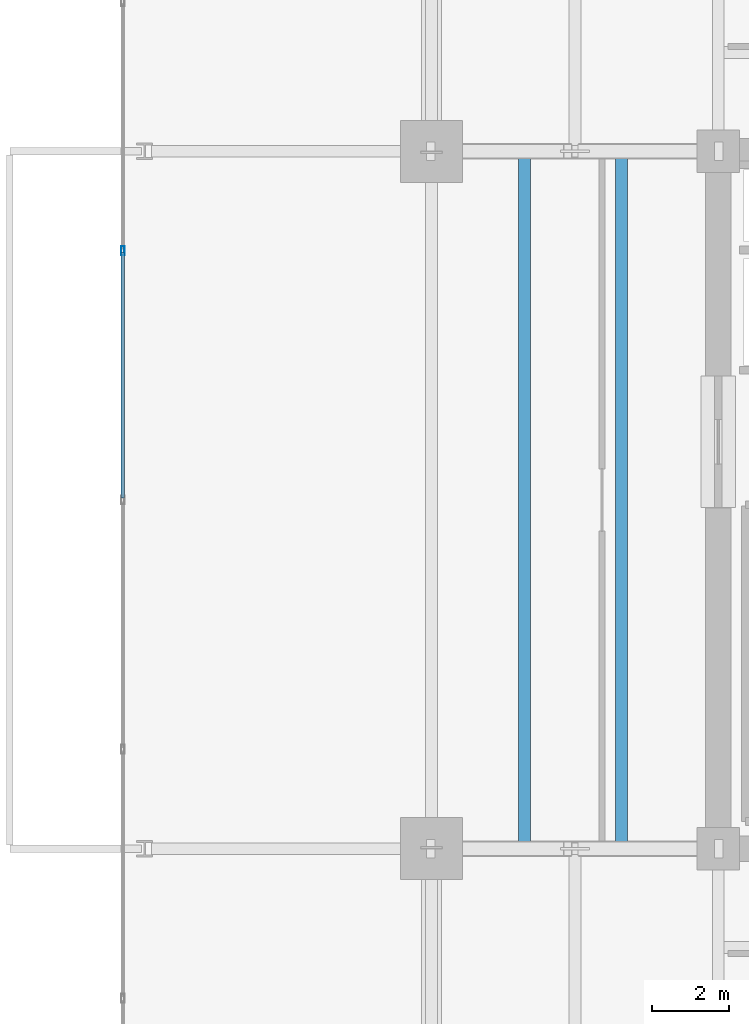
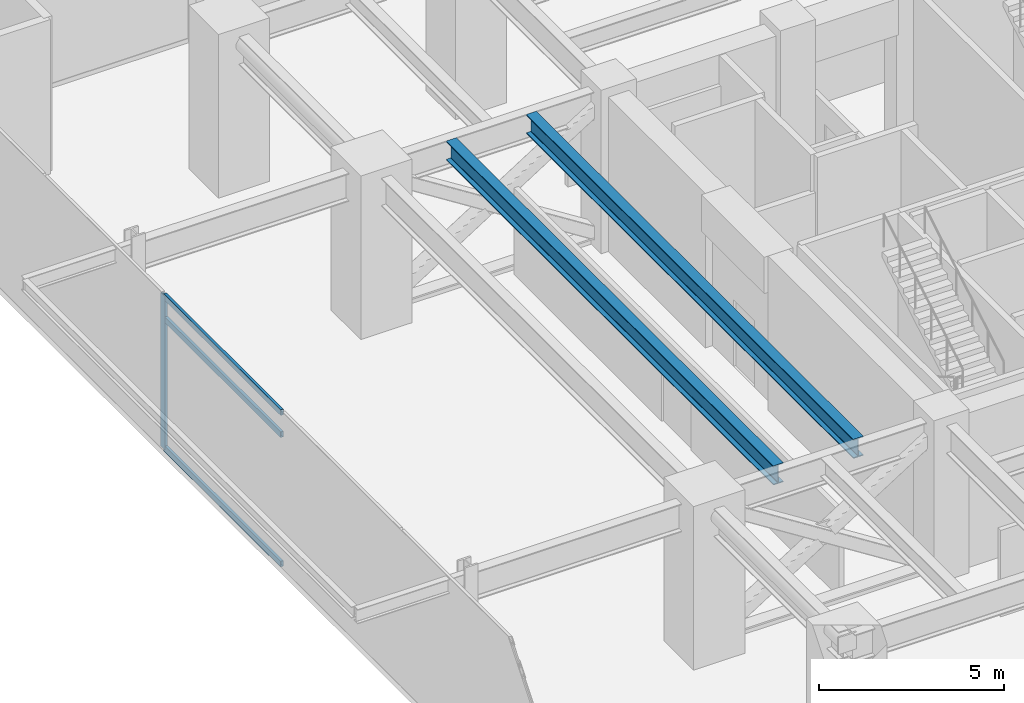
# One storey, part 7 of 26: 4 members, 2 beams, 1 element without a shape of its own.
"""IFC4 building model written with IfcOpenShell, lengths in metres."""

from ifc_helpers import new_model, si_unit, direction, frame, origin, origin_2d, place, context, subcontext, project, spatial, hollow_rectangle, i_section, extrude, material, material_profile, profile_set, type_object, element, aggregate, save


model = new_model("IFC4")

# Units and contexts
model_context = context("Model", 3, precision=1e-05, world=origin(), true_north=direction((0.0, 1.0)))
body_context = subcontext(model_context, "Body", "Model", "MODEL_VIEW")
ifc_project = project(units=[si_unit("LENGTHUNIT", "METRE"), si_unit("AREAUNIT", "SQUARE_METRE"), si_unit("VOLUMEUNIT", "CUBIC_METRE"), si_unit("PLANEANGLEUNIT", "RADIAN"), si_unit("MASSUNIT", "GRAM", prefix="KILO")], contexts=[model_context])

# Site, building, storey
site_placement = place(None, origin())
site = spatial("IfcSite", under=ifc_project, at=site_placement, CompositionType="ELEMENT")
building_placement = place(site_placement, origin())
building = spatial("IfcBuilding", under=site, at=building_placement, Name="Kovane Verandah Tower", CompositionType="ELEMENT")
storey_placement = place(building_placement, frame((0.0, 0.0, 113.0)))
storey = spatial("IfcBuildingStorey", under=building, at=storey_placement, Name="L26", CompositionType="ELEMENT", Elevation=113.0)

# Beams
ifc_material_1 = material(Name="Steel S460", Category="steel")
ifc_material_profile_1 = material_profile(ifc_material_1, i_section(OverallWidth=0.311279296875, OverallDepth=0.6357421875, WebThickness=0.018310546875, FlangeThickness=0.031494140625, FilletRadius=0.0166015625, at=origin_2d()), Name="UB610x305x238")
ifc_profile_set_1 = profile_set([ifc_material_profile_1], Name="Steel S460")
beam_type = type_object("IfcBeamType", Name="BM-UB610x238", PredefinedType="BEAM", material=ifc_profile_set_1)
for number, where, z_axis, x_axis, name in (
    (1, (24.0, 18.65185546875, 4.781982421875), (0.0, 1.0, 0.0), (-1.0, 0.0, 0.0), "L26 Secondary Composite Joist J-W1"),
    (2, (26.5, 18.65185546875, 4.781982421875), (0.0, 1.0, 0.0), (-1.0, 0.0, 0.0), "L26 Secondary Composite Joist J-W2"),
):
    element("IfcBeam", number, at=place(storey_placement, frame(where, z_axis=z_axis, x_axis=x_axis)), inside=storey, type_object=beam_type, Name=name, PredefinedType="BEAM", context=body_context, shape_type="SweptSolid", body=[
        extrude(i_section(OverallWidth=0.311279296875, OverallDepth=0.6357421875, WebThickness=0.018310546875, FlangeThickness=0.031494140625, FilletRadius=0.0166015625, at=origin_2d()), origin(), (0.0, 0.0, 1.0), 17.6962890625),
    ])

# Curtain wall, members
ifc_material_2 = material(Name="Champagne Anodised Aluminium Frame with Low-E Clear Laminated Glass", Category="aluminium")
curtain_wall_type = type_object("IfcCurtainWallType", Name="CW-SYS-02-LOW", PredefinedType="NOTDEFINED", material=ifc_material_2)
curtain_wall_placement = place(storey_placement, origin())
curtain_wall = element("IfcCurtainWall", 3, at=curtain_wall_placement, inside=storey, type_object=curtain_wall_type, Name="L26 W Unitised Curtain Wall", PredefinedType="NOTDEFINED")
ifc_material_3 = material(Name="Champagne Anodised Aluminium 6063-T6", Category="aluminium")
ifc_material_profile_2 = material_profile(ifc_material_3, hollow_rectangle(XDim=0.0849609375, YDim=0.22998046875, WallThickness=0.00390625, at=origin_2d()), Name="AL85x230x4")
ifc_profile_set_2 = profile_set([ifc_material_profile_2], Name="Champagne Anodised Aluminium 6063-T6")
member_type_1 = type_object("IfcMemberType", Name="CW-MUL-85x230", PredefinedType="MULLION", material=ifc_profile_set_2)
member_1_placement = place(storey_placement, frame((13.635986328125, 33.931640625, 0.02001953125), z_axis=(0.0, 0.0, 1.0), x_axis=(-1.0, 0.0, 0.0)))
member_1 = element("IfcMember", 4, at=member_1_placement, type_object=member_type_1, Name="L26 W Unitised Curtain Wall Mullion 3", PredefinedType="MULLION", context=body_context, shape_type="SweptSolid", body=[
    extrude(hollow_rectangle(XDim=0.0849609375, YDim=0.22998046875, WallThickness=0.00390625, at=origin_2d()), origin(), (0.0, 0.0, 1.0), 5.06005859375),
])
ifc_material_profile_3 = material_profile(ifc_material_3, hollow_rectangle(XDim=0.0849609375, YDim=0.18994140625, WallThickness=0.00390625, at=origin_2d()), Name="AL85x190x4")
ifc_profile_set_3 = profile_set([ifc_material_profile_3], Name="Champagne Anodised Aluminium 6063-T6")
member_type_2 = type_object("IfcMemberType", Name="CW-TRN-85x190", PredefinedType="USERDEFINED", material=ifc_profile_set_3)
member_2_placement = place(storey_placement, frame((13.635986328125, 33.881591796875, 0.050048828125), z_axis=(0.0, -1.0, 0.0), x_axis=(1.0, 0.0, 0.0)))
member_2 = element("IfcMember", 5, at=member_2_placement, type_object=member_type_2, Name="L26 W Unitised Curtain Wall Transom TB Bay 3", ObjectType="TRANSOM", PredefinedType="USERDEFINED", context=body_context, shape_type="SweptSolid", body=[
    extrude(hollow_rectangle(XDim=0.0849609375, YDim=0.18994140625, WallThickness=0.00390625, at=origin_2d()), origin(), (0.0, 0.0, 1.0), 6.33154296875),
])
member_3_placement = place(storey_placement, frame((13.635986328125, 33.881591796875, 4.320068359375), z_axis=(0.0, -1.0, 0.0), x_axis=(1.0, 0.0, 0.0)))
member_3 = element("IfcMember", 6, at=member_3_placement, type_object=member_type_2, Name="L26 W Unitised Curtain Wall Transom TM Bay 3", ObjectType="TRANSOM", PredefinedType="USERDEFINED", context=body_context, shape_type="SweptSolid", body=[
    extrude(hollow_rectangle(XDim=0.0849609375, YDim=0.18994140625, WallThickness=0.00390625, at=origin_2d()), origin(), (0.0, 0.0, 1.0), 6.33154296875),
])
member_4_placement = place(storey_placement, frame((13.635986328125, 33.881591796875, 5.050048828125), z_axis=(0.0, -1.0, 0.0), x_axis=(1.0, 0.0, 0.0)))
member_4 = element("IfcMember", 7, at=member_4_placement, type_object=member_type_2, Name="L26 W Unitised Curtain Wall Transom TT Bay 3", ObjectType="TRANSOM", PredefinedType="USERDEFINED", context=body_context, shape_type="SweptSolid", body=[
    extrude(hollow_rectangle(XDim=0.0849609375, YDim=0.18994140625, WallThickness=0.00390625, at=origin_2d()), origin(), (0.0, 0.0, 1.0), 6.33154296875),
])
aggregate(curtain_wall, [member_1, member_2, member_3, member_4])

save(model, "model.ifc")
